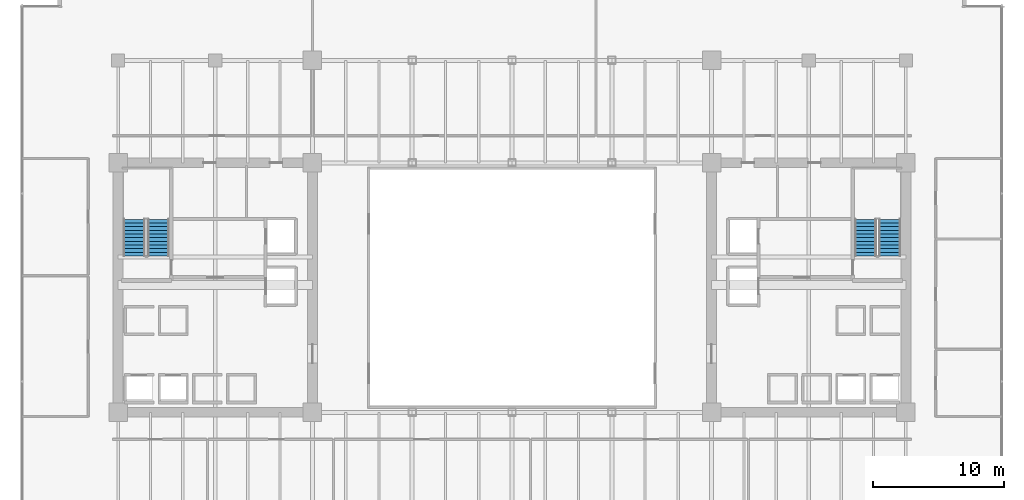
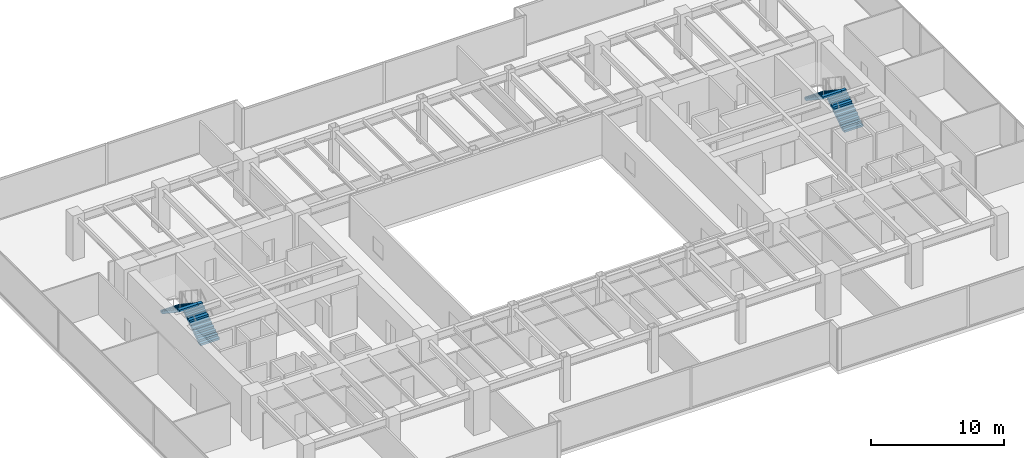
# One storey, part 33 of 35: 4 stair flights, 2 elements without a shape of their own.
"""IFC4 building model written with IfcOpenShell, lengths in metres."""

from ifc_helpers import new_model, si_unit, direction, frame, origin, place, context, subcontext, project, spatial, polyline, outline, extrude, source, transform, mapped, material, type_object, type_shapes, element, aggregate, save


model = new_model("IFC4")

# Units and contexts
model_context = context("Model", 3, precision=1e-05, world=origin(), true_north=direction((0.0, 1.0)))
body_context = subcontext(model_context, "Body", "Model", "MODEL_VIEW")
ifc_project = project(units=[si_unit("LENGTHUNIT", "METRE"), si_unit("AREAUNIT", "SQUARE_METRE"), si_unit("VOLUMEUNIT", "CUBIC_METRE"), si_unit("PLANEANGLEUNIT", "RADIAN"), si_unit("MASSUNIT", "GRAM", prefix="KILO")], contexts=[model_context])

# Site, building, storey
site_placement = place(None, origin())
site = spatial("IfcSite", under=ifc_project, at=site_placement, CompositionType="ELEMENT")
building_placement = place(site_placement, origin())
building = spatial("IfcBuilding", under=site, at=building_placement, Name="Haelvirn Gate Laboratories", CompositionType="ELEMENT")
storey_placement = place(building_placement, frame((0.0, 0.0, 41.60009765625)))
storey = spatial("IfcBuildingStorey", under=building, at=storey_placement, Name="L10", CompositionType="ELEMENT", Elevation=41.60009765625)

# Stair, stair flights
ifc_material = material(Name="Concrete C40/50", Category="concrete")
stair_type = type_object("IfcStairType", Name="ST-DOG-1650-R22", PredefinedType="HALF_TURN_STAIR", material=ifc_material)
stair_1_placement = place(storey_placement, origin())
stair_1 = element("IfcStair", 1, at=stair_1_placement, inside=storey, type_object=stair_type, Name="L10 Escape Stair ST1", PredefinedType="HALF_TURN_STAIR")
stair_flight_type = type_object("IfcStairFlightType", Name="STF-1650-R11", PredefinedType="STRAIGHT", material=ifc_material)
shared_shape = source(origin(), body_context, "Body", "SweptSolid", [
    extrude(outline(polyline([(0.0, 0.0), (0.0, 0.186279296875), (0.280029296875, 0.186279296875), (0.280029296875, 0.372802734375), (0.56005859375, 0.372802734375), (0.56005859375, 0.55908203125), (0.840087890625, 0.55908203125), (0.840087890625, 0.745361328125), (1.1201171875, 0.745361328125), (1.1201171875, 0.931884765625), (1.39990234375, 0.931884765625), (1.39990234375, 1.1181640625), (1.679931640625, 1.1181640625), (1.679931640625, 1.304443359375), (1.9599609375, 1.304443359375), (1.9599609375, 1.490966796875), (2.239990234375, 1.490966796875), (2.239990234375, 1.67724609375), (2.52001953125, 1.67724609375), (2.52001953125, 1.863525390625), (2.800048828125, 1.863525390625), (2.800048828125, 2.050048828125), (2.800048828125, 1.671630859375), (0.28857421875, 0.0), (0.0, 0.0)])), frame((0.0, 0.824951171875, 0.0), z_axis=(0.0, -1.0, 0.0), x_axis=(1.0, 0.0, 0.0)), (0.0, 0.0, 1.0), 1.64990234375),
])
type_shapes(stair_flight_type, [shared_shape])
stair_flight_1_placement = place(storey_placement, frame((10.47509765625, 26.699951171875, 0.0), z_axis=(0.0, 0.0, 1.0), x_axis=(0.0, 1.0, 0.0)))
stair_flight_1 = element("IfcStairFlight", 2, at=stair_flight_1_placement, type_object=stair_flight_type, Name="ST1 flight 1", NumberOfRisers=11, NumberOfTreads=10, PredefinedType="STRAIGHT", RiserHeight=0.186363636, TreadLength=0.28, context=body_context, shape_type="MappedRepresentation", body=[
    mapped(shared_shape, transform((0.0, 0.0, 0.0), scale=1.0)),
])
stair_flight_2_placement = place(storey_placement, frame((8.625, 29.5, 2.0498046875), z_axis=(0.0, 0.0, 1.0), x_axis=(0.0, -1.0, 0.0)))
stair_flight_2 = element("IfcStairFlight", 3, at=stair_flight_2_placement, type_object=stair_flight_type, Name="ST1 flight 2", NumberOfRisers=11, NumberOfTreads=10, PredefinedType="STRAIGHT", RiserHeight=0.186363636, TreadLength=0.28, context=body_context, shape_type="MappedRepresentation", body=[
    mapped(shared_shape, transform((0.0, 0.0, 0.0), scale=1.0)),
])
aggregate(stair_1, [stair_flight_1, stair_flight_2])

stair_2_placement = place(storey_placement, origin())
stair_2 = element("IfcStair", 4, at=stair_2_placement, inside=storey, type_object=stair_type, Name="L10 Escape Stair ST2", PredefinedType="HALF_TURN_STAIR")
stair_flight_3_placement = place(storey_placement, frame((66.175048828125, 26.699951171875, 0.0), z_axis=(0.0, 0.0, 1.0), x_axis=(0.0, 1.0, 0.0)))
stair_flight_3 = element("IfcStairFlight", 5, at=stair_flight_3_placement, type_object=stair_flight_type, Name="ST2 flight 1", NumberOfRisers=11, NumberOfTreads=10, PredefinedType="STRAIGHT", RiserHeight=0.186363636, TreadLength=0.28, context=body_context, shape_type="MappedRepresentation", body=[
    mapped(shared_shape, transform((0.0, 0.0, 0.0), scale=1.0)),
])
stair_flight_4_placement = place(storey_placement, frame((64.324951171875, 29.5, 2.0498046875), z_axis=(0.0, 0.0, 1.0), x_axis=(0.0, -1.0, 0.0)))
stair_flight_4 = element("IfcStairFlight", 6, at=stair_flight_4_placement, type_object=stair_flight_type, Name="ST2 flight 2", NumberOfRisers=11, NumberOfTreads=10, PredefinedType="STRAIGHT", RiserHeight=0.186363636, TreadLength=0.28, context=body_context, shape_type="MappedRepresentation", body=[
    mapped(shared_shape, transform((0.0, 0.0, 0.0), scale=1.0)),
])
aggregate(stair_2, [stair_flight_3, stair_flight_4])

save(model, "model.ifc")
